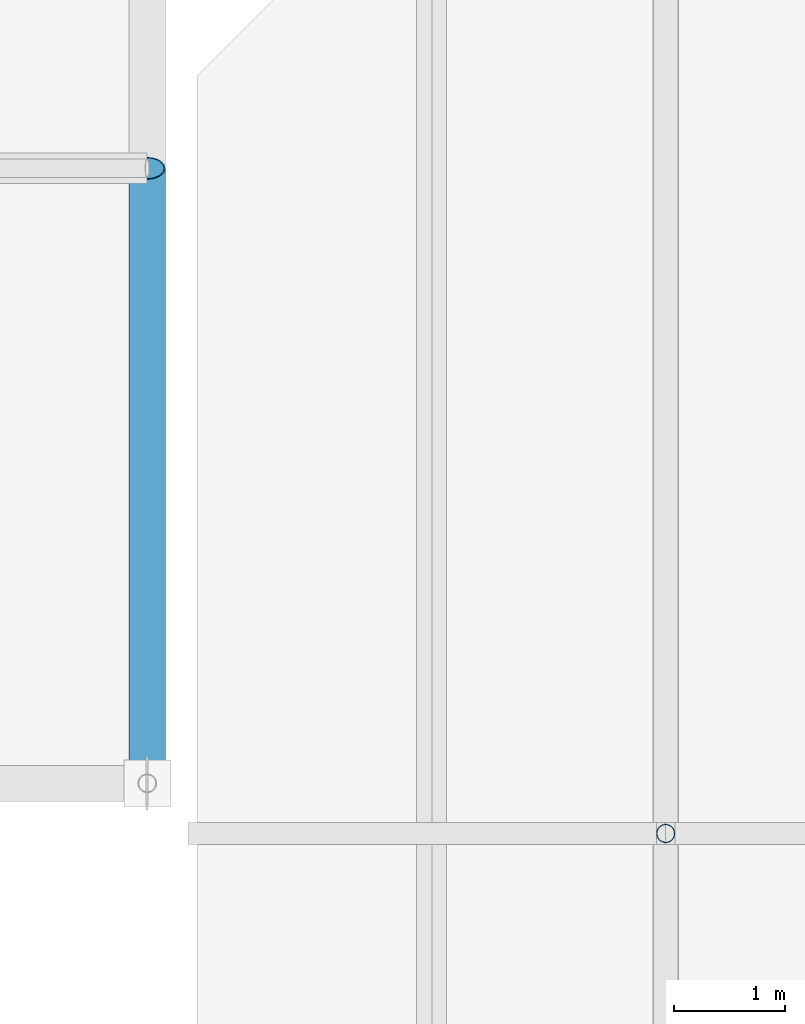
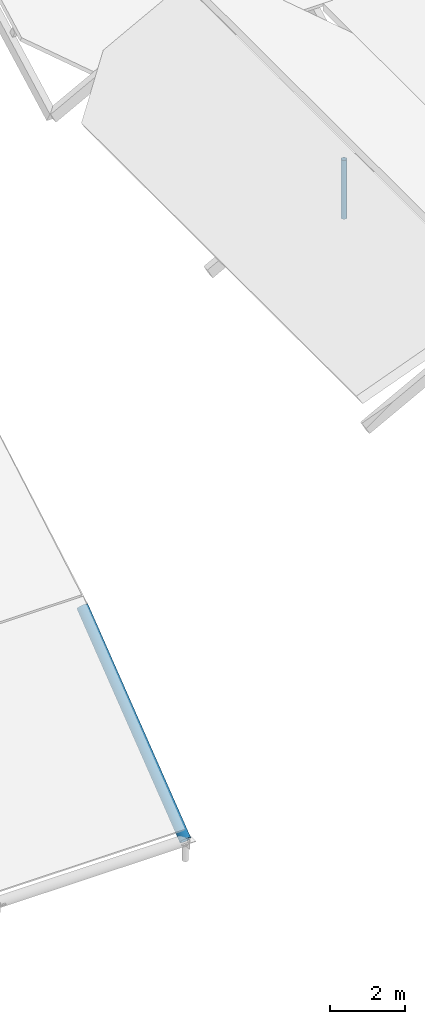
# One storey, part 21 of 82: 2 members.
"""IFC4 building model written with IfcOpenShell, lengths in metres."""

from ifc_helpers import new_model, si_unit, direction, frame, origin, origin_2d, place, context, subcontext, project, spatial, hollow_circle, extrude, material, material_profile, profile_set, type_object, element, save


model = new_model("IFC4")

# Units and contexts
model_context = context("Model", 3, precision=1e-05, world=origin(), true_north=direction((0.0, 1.0)))
body_context = subcontext(model_context, "Body", "Model", "MODEL_VIEW")
ifc_project = project(units=[si_unit("LENGTHUNIT", "METRE"), si_unit("AREAUNIT", "SQUARE_METRE"), si_unit("VOLUMEUNIT", "CUBIC_METRE"), si_unit("PLANEANGLEUNIT", "RADIAN"), si_unit("MASSUNIT", "GRAM", prefix="KILO")], contexts=[model_context])

# Site, building, storey
site_placement = place(None, origin())
site = spatial("IfcSite", under=ifc_project, at=site_placement, CompositionType="ELEMENT")
building_placement = place(site_placement, origin())
building = spatial("IfcBuilding", under=site, at=building_placement, Name="Bramfleet General Hospital", CompositionType="ELEMENT")
storey_placement = place(building_placement, frame((0.0, 0.0, 34.199951171875)))
storey = spatial("IfcBuildingStorey", under=building, at=storey_placement, Name="Roof", CompositionType="ELEMENT", Elevation=34.199951171875)

# Members
ifc_material = material(Name="Steel S355", Category="steel")
ifc_material_profile_1 = material_profile(ifc_material, hollow_circle(Radius=0.084228515625, WallThickness=0.008056640625, at=origin_2d()), Name="CHS 168.3x8.0")
ifc_profile_set_1 = profile_set([ifc_material_profile_1], Name="Steel S355")
member_type_1 = type_object("IfcMemberType", Name="MEM-SF-DG1", PredefinedType="STRUT", material=ifc_profile_set_1)
member_1_placement = place(storey_placement, frame((96.60009765625, 16.800048828125, -0.43994140625), z_axis=(0.0, 0.0, 1.0), x_axis=(1.0, 0.0, 0.0)))
element("IfcMember", 1, at=member_1_placement, inside=storey, type_object=member_type_1, Name="Patient House PH-05 Ridge Timber Post 2", PredefinedType="STRUT", context=body_context, shape_type="SweptSolid", body=[
    extrude(hollow_circle(Radius=0.084228515625, WallThickness=0.008056640625, at=origin_2d()), origin(), (0.0, 0.0, 1.0), 1.916748046875),
])
ifc_material_profile_2 = material_profile(ifc_material, hollow_circle(Radius=0.161865234375, WallThickness=0.012451171875, at=origin_2d()), Name="CHS 323.9x12.5")
ifc_profile_set_2 = profile_set([ifc_material_profile_2], Name="Steel S355")
member_type_2 = type_object("IfcMemberType", Name="MEM-SF-TC1", PredefinedType="CHORD", material=ifc_profile_set_2)
member_2_placement = place(storey_placement, frame((91.949951171875, 17.25, -19.449951171875), z_axis=(0.0, 0.788703357865, 0.614773953004), x_axis=(-1.0, 0.0, 0.0)))
element("IfcMember", 2, at=member_2_placement, inside=storey, type_object=member_type_2, Name="Space Frame Top Chord Y 7-0", PredefinedType="CHORD", context=body_context, shape_type="SweptSolid", body=[
    extrude(hollow_circle(Radius=0.161865234375, WallThickness=0.012451171875, at=origin_2d()), origin(), (0.0, 0.0, 1.0), 6.99462890625),
])

save(model, "model.ifc")
